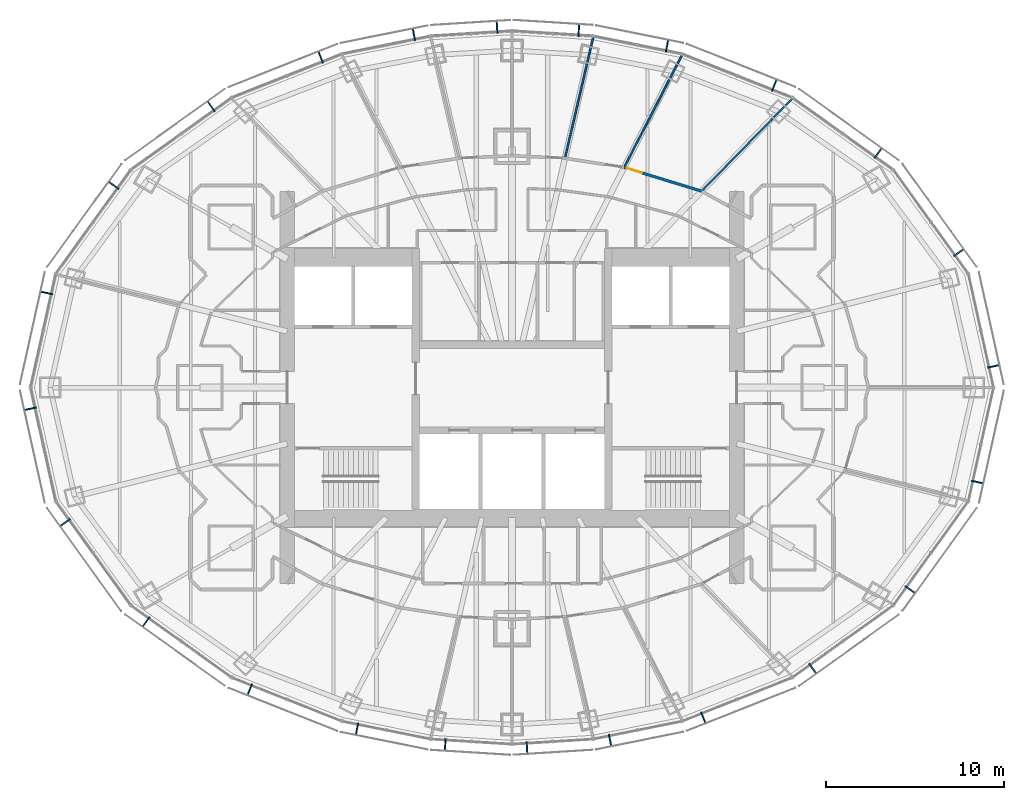
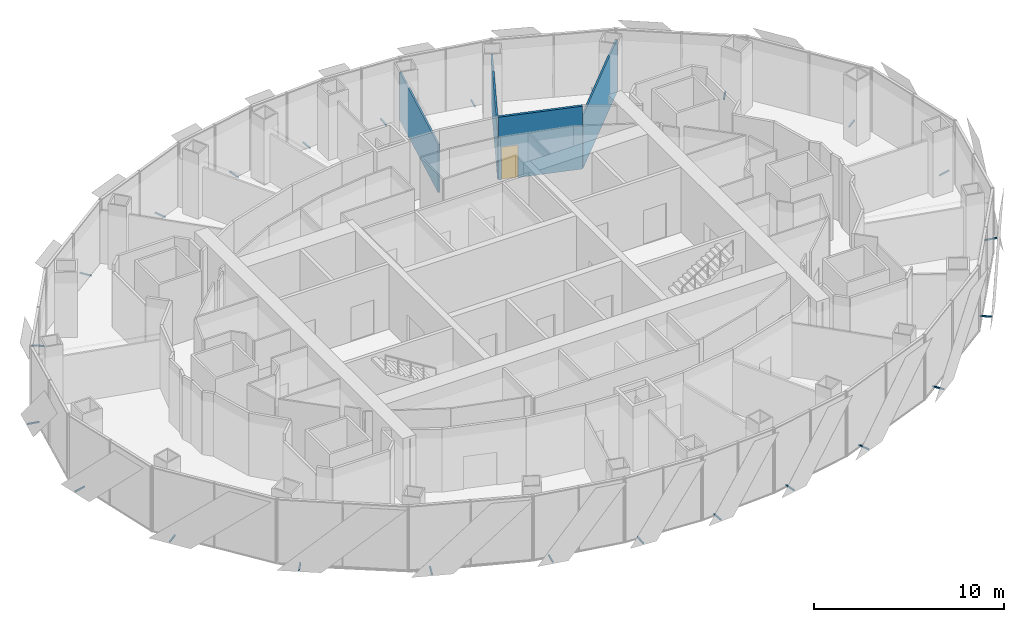
# One storey, part 16 of 19: 24 discrete accessories, 4 walls, 1 door, 1 opening.
"""IFC4 building model written with IfcOpenShell, lengths in metres."""

import ifcopenshell
import ifcopenshell.guid

model = None  # the IFC model being written
_history = None  # IfcOwnerHistory: only IFC2X3 demands one
_inside = {}  # id of a spatial element -> (the spatial element, [elements in it])
_under = {}  # id of a project, library or spatial element -> (it, [spatial elements below it])
_declared = {}  # id of a project -> (the project, [libraries it declares])
_typed = {}  # id of a type object -> (the type object, [elements of that type])
_made_of = {}  # id of a material, layer set ... -> (it, [elements and type objects made of it])


def new_model(schema):
    """Start an empty IFC model of exactly this schema.

    Asked for "IFC4X3", IfcOpenShell would pick the latest addendum, in which some entities
    have other attributes; the version numbers below select the first issue.
    IFC2X3 requires an IfcOwnerHistory on every rooted entity: one is made here for all.
    """
    global model, _history
    if schema == "IFC4X3":
        model = ifcopenshell.file(schema_version=(4, 3, 0, 0))
    else:
        model = ifcopenshell.file(schema=schema)
    _inside.clear()
    _under.clear()
    _declared.clear()
    _typed.clear()
    _made_of.clear()
    _history = None
    if model.schema == "IFC2X3":
        org = make("IfcOrganization", Name="unknown")
        user = make(
            "IfcPersonAndOrganization",
            ThePerson=make("IfcPerson", FamilyName="unknown"),
            TheOrganization=org,
        )
        app = make(
            "IfcApplication",
            ApplicationDeveloper=org,
            Version="unknown",
            ApplicationFullName="unknown",
            ApplicationIdentifier="unknown",
        )
        _history = make(
            "IfcOwnerHistory",
            OwningUser=user,
            OwningApplication=app,
            ChangeAction="ADDED",
            CreationDate=0,
        )
    return model


def make(cls, **values):
    """One entity of the class cls with the attributes given. An attribute that is None is left unset."""
    return model.create_entity(
        cls, **{name: value for name, value in values.items() if value is not None}
    )


def rooted(cls, **values):
    """An entity with a GlobalId (a new one), such as an element, a storey or a relation."""
    return make(cls, GlobalId=ifcopenshell.guid.new(), OwnerHistory=_history, **values)


def si_unit(unit_type, name, prefix=None):
    """IfcSIUnit, for example si_unit("LENGTHUNIT", "METRE", prefix="MILLI")."""
    return make("IfcSIUnit", UnitType=unit_type, Prefix=prefix, Name=name)


def assignment(units):
    """IfcUnitAssignment: the units of a project."""
    return None if units is None else make("IfcUnitAssignment", Units=units)


def point(xyz):
    """IfcCartesianPoint."""
    return None if xyz is None else make("IfcCartesianPoint", Coordinates=xyz)


def direction(xyz):
    """IfcDirection."""
    return None if xyz is None else make("IfcDirection", DirectionRatios=xyz)


def frame(location, z_axis=None, x_axis=None):
    """IfcAxis2Placement3D, a coordinate frame: its origin and axes. An axis left out is left unset."""
    return make(
        "IfcAxis2Placement3D",
        Location=point(location),
        Axis=direction(z_axis),
        RefDirection=direction(x_axis),
    )


def frame_2d(location, x_axis=None):
    """IfcAxis2Placement2D, a coordinate frame in the plane: its origin and x axis."""
    return make(
        "IfcAxis2Placement2D", Location=point(location), RefDirection=direction(x_axis)
    )


def origin():
    """The frame at (0, 0, 0) with its axes left unset."""
    return frame((0.0, 0.0, 0.0))


def origin_2d():
    """The frame at (0, 0) in the plane with its x axis left unset."""
    return frame_2d((0.0, 0.0))


def place(relative_to, where):
    """IfcLocalPlacement: puts the frame where relative to a parent placement (None: the world)."""
    return make(
        "IfcLocalPlacement", PlacementRelTo=relative_to, RelativePlacement=where
    )


def context(
    kind, dimensions, precision=None, world=None, true_north=None, identifier=None
):
    """IfcGeometricRepresentationContext, for example the 3D "Model" context."""
    return make(
        "IfcGeometricRepresentationContext",
        ContextIdentifier=identifier,
        ContextType=kind,
        CoordinateSpaceDimension=dimensions,
        Precision=precision,
        WorldCoordinateSystem=world,
        TrueNorth=true_north,
    )


def subcontext(parent, identifier, kind, view, scale=None):
    """IfcGeometricRepresentationSubContext, for example "Body" below "Model"."""
    return make(
        "IfcGeometricRepresentationSubContext",
        ContextIdentifier=identifier,
        ContextType=kind,
        ParentContext=parent,
        TargetScale=scale,
        TargetView=view,
    )


def project(units=None, contexts=None):
    """IfcProject with its units and contexts."""
    return rooted(
        "IfcProject",
        Name="project",
        RepresentationContexts=contexts,
        UnitsInContext=assignment(units),
    )


def spatial(cls, under=None, at=None, **own):
    """A site, building, storey or space (cls), placed at a placement, below another one or the project."""
    s = rooted(cls, ObjectPlacement=at, **own)
    if under is not None:
        _under.setdefault(under.id(), (under, []))[1].append(s)
    return s


def profile(cls, at=None, kind="AREA", **sizes):
    """A parametric profile (cls). Its sizes go by their IFC names, for example OverallWidth=200.0."""
    return make(cls, ProfileType=kind, Position=at, **sizes)


def rectangle(**sizes):
    """IfcRectangleProfileDef."""
    return profile("IfcRectangleProfileDef", **sizes)


def extrude(swept, where, along, depth):
    """IfcExtrudedAreaSolid: the profile swept, set in the frame where, extruded along a direction by depth."""
    return make(
        "IfcExtrudedAreaSolid",
        SweptArea=swept,
        Position=where,
        ExtrudedDirection=direction(along),
        Depth=depth,
    )


def shape(context_of_items, identifier, shape_type, items):
    """IfcShapeRepresentation: the items that make up one representation, for example the "Body"."""
    return make(
        "IfcShapeRepresentation",
        ContextOfItems=context_of_items,
        RepresentationIdentifier=identifier,
        RepresentationType=shape_type,
        Items=items,
    )


def material(Name=None, Category=None):
    """IfcMaterial."""
    return make("IfcMaterial", Name=Name, Category=Category)


def layer(
    of_material, thickness, ventilated=None, Name=None, Category=None, Priority=None
):
    """IfcMaterialLayer: one layer of a wall or slab, of a material (None: an air gap)."""
    return make(
        "IfcMaterialLayer",
        Material=of_material,
        LayerThickness=thickness,
        IsVentilated=ventilated,
        Name=Name,
        Category=Category,
        Priority=Priority,
    )


def layer_set(layers, Name=None):
    """IfcMaterialLayerSet."""
    return make("IfcMaterialLayerSet", MaterialLayers=layers, LayerSetName=Name)


def made_of(thing, what):
    """Note that an element or type object is made of a material, layer set ...; save() writes the relation."""
    if what is not None:
        _made_of.setdefault(what.id(), (what, []))[1].append(thing)
    return thing


def type_object(cls, material=None, **own):
    """A type object (cls), such as IfcWallType, which elements share."""
    return made_of(rooted(cls, **own), material)


def element(
    cls,
    number,
    at=None,
    inside=None,
    cuts=None,
    type_object=None,
    material=None,
    context=None,
    identifier="Body",
    shape_type=None,
    held_by="IfcProductDefinitionShape",
    body=None,
    shapes=None,
    **own,
):
    """One element of the class cls, such as IfcWall. Its Tag is "e" and its number.

    at: its placement. inside: the storey or other place that contains it. cuts: it is an
    opening in that element (IfcRelVoidsElement). A single representation is given by context,
    identifier, shape_type and body (its items); several are given by shapes. held_by: the class
    of the entity that holds the representations. save() writes the other relations.
    """
    e = rooted(cls, Tag="e%d" % number, ObjectPlacement=at, **own)
    if body is not None:
        shapes = [shape(context, identifier, shape_type, body)]
    if shapes is not None:
        e.Representation = make(held_by, Representations=shapes)
    if inside is not None:
        _inside.setdefault(inside.id(), (inside, []))[1].append(e)
    if cuts is not None:
        rooted(
            "IfcRelVoidsElement", RelatingBuildingElement=cuts, RelatedOpeningElement=e
        )
    if type_object is not None:
        _typed.setdefault(type_object.id(), (type_object, []))[1].append(e)
    return made_of(e, material)


def fill(opening, filler):
    """IfcRelFillsElement: the door or window that sits in an opening."""
    return rooted(
        "IfcRelFillsElement",
        RelatingOpeningElement=opening,
        RelatedBuildingElement=filler,
    )


def aggregate(whole, parts):
    """IfcRelAggregates: a whole, such as a stair, and the parts it consists of."""
    return rooted("IfcRelAggregates", RelatingObject=whole, RelatedObjects=parts)


def save(model, path):
    """Write the relations noted so far, then the file.

    IfcRelAggregates (storeys below a building ...), IfcRelContainedInSpatialStructure (elements
    in a storey), IfcRelDefinesByType, IfcRelAssociatesMaterial and IfcRelDeclares: one each for
    every whole, place, type object, material and project.
    """
    for whole, parts in _under.values():
        aggregate(whole, parts)
    for where, things in _inside.values():
        rooted(
            "IfcRelContainedInSpatialStructure",
            RelatedElements=things,
            RelatingStructure=where,
        )
    for kind, things in _typed.values():
        rooted("IfcRelDefinesByType", RelatedObjects=things, RelatingType=kind)
    for what, things in _made_of.values():
        rooted("IfcRelAssociatesMaterial", RelatedObjects=things, RelatingMaterial=what)
    for by, libraries in _declared.values():
        rooted("IfcRelDeclares", RelatingContext=by, RelatedDefinitions=libraries)
    model.write(path)


model = new_model("IFC4")

# Units and contexts
model_context = context("Model", 3, precision=1e-05, world=origin(), true_north=direction((0.0, 1.0)))
body_context = subcontext(model_context, "Body", "Model", "MODEL_VIEW")
ifc_project = project(units=[si_unit("LENGTHUNIT", "METRE"), si_unit("AREAUNIT", "SQUARE_METRE"), si_unit("VOLUMEUNIT", "CUBIC_METRE"), si_unit("PLANEANGLEUNIT", "RADIAN"), si_unit("MASSUNIT", "GRAM", prefix="KILO")], contexts=[model_context])

# Site, building, storey
site_placement = place(None, origin())
site = spatial("IfcSite", under=ifc_project, at=site_placement, CompositionType="ELEMENT")
building_placement = place(site_placement, origin())
building = spatial("IfcBuilding", under=site, at=building_placement, Name="Lantaw Convention Tower", CompositionType="ELEMENT")
storey_placement = place(building_placement, frame((0.0, 0.0, 249.39990234375)))
storey = spatial("IfcBuildingStorey", under=building, at=storey_placement, Name="L58", CompositionType="ELEMENT", Elevation=249.39990234375)

# Wall, opening, door
ifc_material_1 = material(Name="Gypsum board on steel studs, fire rated", Category="steel")
ifc_layer_1 = layer(ifc_material_1, 0.14990234375)
ifc_layer_set_1 = layer_set([ifc_layer_1], Name="Corridor wall 150 EI 60")
wall_type_1 = type_object("IfcWallType", Name="Corridor wall 150 EI 60", PredefinedType="PARTITIONING", material=ifc_layer_set_1)
wall_1_placement = place(storey_placement, frame((10.6328125, 11.010498046875, 0.0), z_axis=(0.0, 0.0, 1.0), x_axis=(-0.956185837153, 0.292760388079, 0.0)))
wall_1 = element("IfcWall", 1, at=wall_1_placement, inside=storey, type_object=wall_type_1, Name="Corridor wall 150", PredefinedType="PARTITIONING", context=body_context, shape_type="SweptSolid", body=[
    extrude(rectangle(XDim=4.5439453125, YDim=0.14990234375, at=frame_2d((2.27197265625, 0.0))), origin(), (0.0, 0.0, 1.0), 4.050048828125),
])
opening_placement = place(wall_1_placement, frame((3.493896484375, 0.0, 0.0)))
opening = element("IfcOpeningElement", 2, at=opening_placement, cuts=wall_1, Name="Opening L58.37", PredefinedType="OPENING", context=body_context, shape_type="SweptSolid", body=[
    extrude(rectangle(XDim=0.89990234375, YDim=2.10009765625, at=frame_2d((0.449951171875, 1.050048828125))), frame((0.0, 0.0849609375, 0.0), z_axis=(0.0, -1.0, 0.0), x_axis=(1.0, 0.0, 0.0)), (0.0, 0.0, 1.0), 0.169921875),
])
ifc_material_2 = material(Name="Steel, fire rated", Category="steel")
door_type = type_object("IfcDoorType", Name="Office door 900 FD30", OperationType="SINGLE_SWING_LEFT", PredefinedType="DOOR", material=ifc_material_2)
door_placement = place(opening_placement, origin())
door = element("IfcDoor", 3, at=door_placement, inside=storey, type_object=door_type, Name="Private office door", OperationType="SINGLE_SWING_LEFT", OverallHeight=2.10009765625, OverallWidth=0.89990234375, PredefinedType="DOOR", context=body_context, shape_type="SweptSolid", body=[
    extrude(rectangle(XDim=0.89990234375, YDim=2.10009765625, at=frame_2d((0.449951171875, 1.050048828125))), frame((0.0, 0.02490234375, 0.0), z_axis=(0.0, -1.0, 0.0), x_axis=(1.0, 0.0, 0.0)), (0.0, 0.0, 1.0), 0.050048828125),
])
fill(opening, door)

# Walls
ifc_material_3 = material(Name="Gypsum board on steel studs, acoustic", Category="steel")
ifc_layer_2 = layer(ifc_material_3, 0.10009765625)
ifc_layer_set_2 = layer_set([ifc_layer_2], Name="Office partition 100")
wall_type_2 = type_object("IfcWallType", Name="Office partition 100", PredefinedType="PARTITIONING", material=ifc_layer_set_2)
wall_2_placement = place(storey_placement, frame((15.709228515625, 16.19873046875, 0.0), z_axis=(0.0, 0.0, 1.0), x_axis=(-0.699362525935, -0.714767135029, 0.0)))
element("IfcWall", 4, at=wall_2_placement, inside=storey, type_object=wall_type_2, Name="Office partition 100", PredefinedType="PARTITIONING", context=body_context, shape_type="SweptSolid", body=[
    extrude(rectangle(XDim=7.258544921875, YDim=0.10009765625, at=frame_2d((3.62939453125, 0.0))), origin(), (0.0, 0.0, 1.0), 3.409912109375),
])
wall_3_placement = place(storey_placement, frame((9.53955078125, 18.650390625, 0.0), z_axis=(0.0, 0.0, 1.0), x_axis=(-0.45810402165, -0.88889859115, 0.0)))
element("IfcWall", 5, at=wall_3_placement, inside=storey, type_object=wall_type_2, Name="Office partition 100", PredefinedType="PARTITIONING", context=body_context, shape_type="SweptSolid", body=[
    extrude(rectangle(XDim=7.09814453125, YDim=0.10009765625, at=frame_2d((3.549072265625, 0.0))), origin(), (0.0, 0.0, 1.0), 3.107666015625),
])
wall_4_placement = place(storey_placement, frame((4.5556640625, 19.65673828125, 0.0), z_axis=(0.0, 0.0, 1.0), x_axis=(-0.22733791689, -0.973815933092, 0.0)))
element("IfcWall", 6, at=wall_4_placement, inside=storey, type_object=wall_type_2, Name="Office partition 100", PredefinedType="PARTITIONING", context=body_context, shape_type="SweptSolid", body=[
    extrude(rectangle(XDim=6.983642578125, YDim=0.10009765625, at=frame_2d((3.49169921875, 0.0))), origin(), (0.0, 0.0, 1.0), 3.107666015625),
])

# Discrete accessories
for number, where, z_axis, x_axis, name in (
    (7, (27.002197265625, 1.189453125, -0.114990234375), (0.0, 0.0, 1.0), (-0.215891333626, 0.976417396437, 0.0), "Screen bracket"),
    (8, (25.05419921875, 7.564453125, -0.114990234375), (0.0, 0.0, 1.0), (-0.585157643865, 0.810919559405, 0.0), "Screen bracket"),
    (9, (20.524169921875, 13.14453125, -0.114990234375), (0.0, 0.0, 1.0), (-0.813672540482, 0.581323487281, 0.0), "Screen bracket"),
    (10, (14.707763671875, 16.94140625, -0.114990234375), (0.0, 0.0, 1.0), (-0.929761533743, 0.368162315252, 0.0), "Screen bracket"),
    (11, (8.68896484375, 19.145751953125, -0.114990234375), (0.0, 0.0, 1.0), (-0.980366679695, 0.197183095987, 0.0), "Screen bracket"),
    (12, (3.743896484375, 20.024169921875, -0.114990234375), (0.0, 0.0, 1.0), (-0.998028774865, 0.062757983884, 0.0), "Screen bracket"),
    (13, (-0.83984375, 20.206787109375, -0.114990234375), (0.0, 0.0, 1.0), (-0.998028774865, -0.062757983884, 0.0), "Screen bracket"),
    (14, (-5.49853515625, 19.78759765625, -0.114990234375), (0.0, 0.0, 1.0), (-0.980366679695, -0.197183095987, 0.0), "Screen bracket"),
    (15, (-10.7255859375, 18.518310546875, -0.114990234375), (0.0, 0.0, 1.0), (-0.929761533743, -0.368162315252, 0.0), "Screen bracket"),
    (16, (-16.863525390625, 15.759765625, -0.114990234375), (0.0, 0.0, 1.0), (-0.813672540482, -0.581323487281, 0.0), "Screen bracket"),
    (17, (-22.333251953125, 11.3349609375, -0.114990234375), (0.0, 0.0, 1.0), (-0.585157643865, -0.810919559405, 0.0), "Screen bracket"),
    (18, (-26.0927734375, 5.302490234375, -0.114990234375), (0.0, 0.0, 1.0), (-0.215891333626, -0.976417396437, 0.0), "Screen bracket"),
    (19, (-27.002197265625, -1.189453125, -0.114990234375), (0.0, 0.0, 1.0), (0.215891333626, -0.976417396437, 0.0), "Screen bracket"),
    (20, (-25.05419921875, -7.564453125, -0.114990234375), (0.0, 0.0, 1.0), (0.585157643865, -0.810919559405, 0.0), "Screen bracket"),
    (21, (-20.524169921875, -13.14453125, -0.114990234375), (0.0, 0.0, 1.0), (0.813672540482, -0.581323487281, 0.0), "Screen bracket"),
    (22, (-14.707763671875, -16.94140625, -0.114990234375), (0.0, 0.0, 1.0), (0.929761533743, -0.368162315252, 0.0), "Screen bracket"),
    (23, (-8.68896484375, -19.145751953125, -0.114990234375), (0.0, 0.0, 1.0), (0.980366679695, -0.197183095987, 0.0), "Screen bracket"),
    (24, (-3.743896484375, -20.024169921875, -0.114990234375), (0.0, 0.0, 1.0), (0.998028774865, -0.062757983884, 0.0), "Screen bracket"),
    (25, (0.83984375, -20.206787109375, -0.114990234375), (0.0, 0.0, 1.0), (0.998028774865, 0.062757983884, 0.0), "Screen bracket"),
    (26, (5.49853515625, -19.78759765625, -0.114990234375), (0.0, 0.0, 1.0), (0.980366679695, 0.197183095987, 0.0), "Screen bracket"),
    (27, (10.7255859375, -18.518310546875, -0.114990234375), (0.0, 0.0, 1.0), (0.929761533743, 0.368162315252, 0.0), "Screen bracket"),
    (28, (16.863525390625, -15.759765625, -0.114990234375), (0.0, 0.0, 1.0), (0.813672540482, 0.581323487281, 0.0), "Screen bracket"),
    (29, (22.333251953125, -11.3349609375, -0.114990234375), (0.0, 0.0, 1.0), (0.585157643865, 0.810919559405, 0.0), "Screen bracket"),
    (30, (26.0927734375, -5.302490234375, -0.114990234375), (0.0, 0.0, 1.0), (0.215891333626, 0.976417396437, 0.0), "Screen bracket"),
):
    element("IfcDiscreteAccessory", number, at=place(storey_placement, frame(where, z_axis=z_axis, x_axis=x_axis)), inside=storey, Name=name, PredefinedType="BRACKET", context=body_context, shape_type="SweptSolid", body=[
        extrude(rectangle(XDim=0.080078125, YDim=0.68798828125, at=origin_2d()), origin(), (0.0, 0.0, 1.0), 0.080078125),
    ])

save(model, "model.ifc")
